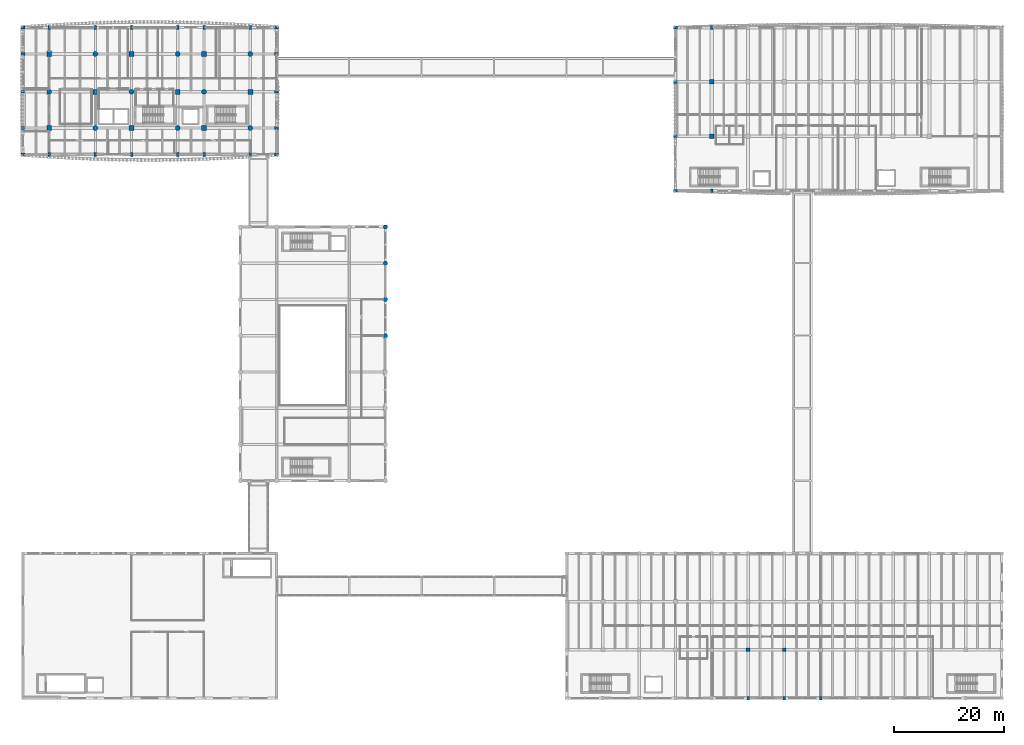
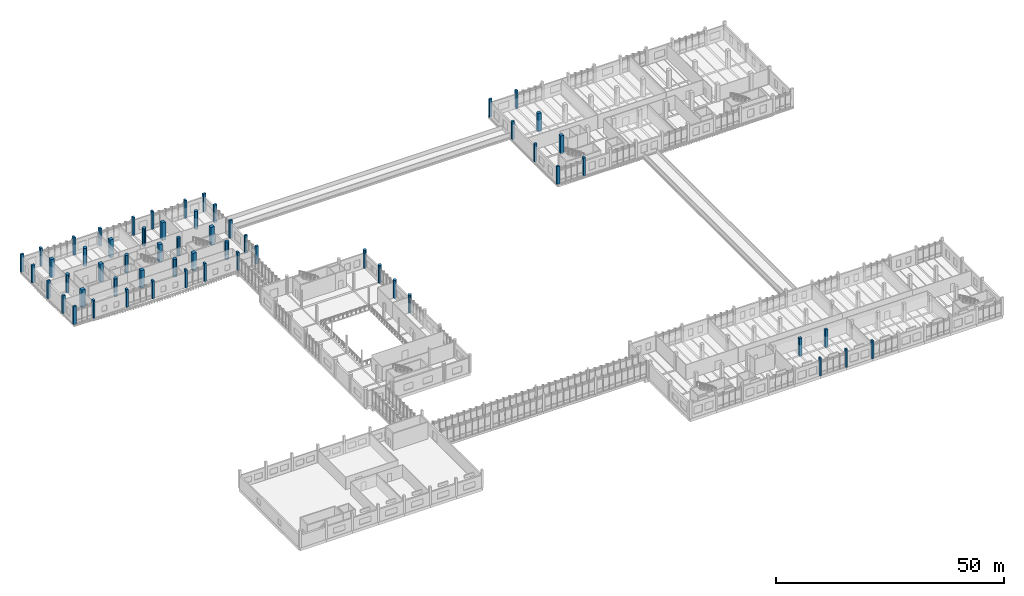
# One storey, part 7 of 101: 57 columns.
"""IFC4 building model written with IfcOpenShell, lengths in metres."""

from ifc_helpers import new_model, si_unit, direction, frame, origin, origin_2d, place, context, subcontext, project, spatial, rectangle, circle, extrude, material, material_profile, profile_set, type_object, element, save


model = new_model("IFC4")

# Units and contexts
model_context = context("Model", 3, precision=1e-05, world=origin(), true_north=direction((0.0, 1.0)))
body_context = subcontext(model_context, "Body", "Model", "MODEL_VIEW")
ifc_project = project(units=[si_unit("LENGTHUNIT", "METRE"), si_unit("AREAUNIT", "SQUARE_METRE"), si_unit("VOLUMEUNIT", "CUBIC_METRE"), si_unit("PLANEANGLEUNIT", "RADIAN"), si_unit("MASSUNIT", "GRAM", prefix="KILO")], contexts=[model_context])

# Site, building, storey
site_placement = place(None, origin())
site = spatial("IfcSite", under=ifc_project, at=site_placement, CompositionType="ELEMENT")
building_placement = place(site_placement, origin())
building = spatial("IfcBuilding", under=site, at=building_placement, Name="Dornvale Research Institute", CompositionType="ELEMENT")
storey_placement = place(building_placement, frame((0.0, 0.0, 10.199951171875)))
storey = spatial("IfcBuildingStorey", under=building, at=storey_placement, Name="L02", CompositionType="ELEMENT", Elevation=10.199951171875)

# Columns
ifc_material_1 = material(Name="Concrete f'c 45 MPa (C35/45)", Category="concrete")
ifc_material_profile_1 = material_profile(ifc_material_1, rectangle(XDim=0.64990234375, YDim=0.64990234375, at=origin_2d()), Name="RC 650x650")
ifc_profile_set_1 = profile_set([ifc_material_profile_1], Name="Concrete f'c 45 MPa (C35/45)")
column_type_1 = type_object("IfcColumnType", Name="Column_RC650", PredefinedType="COLUMN", material=ifc_profile_set_1)
for number, where, z_axis, x_axis, name in (
    (1, (132.0, 8.800048828125, 0.0), (0.0, 0.0, 1.0), (1.0, 0.0, 0.0), "L02 column #903"),
    (2, (138.60009765625, 8.800048828125, 0.0), (0.0, 0.0, 1.0), (1.0, 0.0, 0.0), "L02 column #907"),
):
    element("IfcColumn", number, at=place(storey_placement, frame(where, z_axis=z_axis, x_axis=x_axis)), inside=storey, type_object=column_type_1, Name=name, PredefinedType="COLUMN", context=body_context, shape_type="SweptSolid", body=[
        extrude(rectangle(XDim=0.64990234375, YDim=0.64990234375, at=origin_2d()), origin(), (0.0, 0.0, 1.0), 4.800048828125),
    ])
ifc_material_2 = material(Name="Concrete f'c 50 MPa (C40/50)", Category="concrete")
ifc_material_profile_2 = material_profile(ifc_material_2, rectangle(XDim=0.800048828125, YDim=0.800048828125, at=origin_2d()), Name="RC 800x800")
ifc_profile_set_2 = profile_set([ifc_material_profile_2], Name="Concrete f'c 50 MPa (C40/50)")
column_type_2 = type_object("IfcColumnType", Name="Column_RC800", PredefinedType="COLUMN", material=ifc_profile_set_2)
for number, where, z_axis, x_axis, name in (
    (3, (125.39990234375, 102.300048828125, 0.0), (0.0, 0.0, 1.0), (1.0, 0.0, 0.0), "L02 column #539"),
    (4, (125.39990234375, 112.199951171875, 0.0), (0.0, 0.0, 1.0), (1.0, 0.0, 0.0), "L02 column #540"),
):
    element("IfcColumn", number, at=place(storey_placement, frame(where, z_axis=z_axis, x_axis=x_axis)), inside=storey, type_object=column_type_2, Name=name, PredefinedType="COLUMN", context=body_context, shape_type="SweptSolid", body=[
        extrude(rectangle(XDim=0.800048828125, YDim=0.800048828125, at=origin_2d()), origin(), (0.0, 0.0, 1.0), 4.800048828125),
    ])
ifc_material_3 = material(Name="Concrete f'c 50 MPa (C40/50)", Category="concrete")
ifc_material_profile_3 = material_profile(ifc_material_3, rectangle(XDim=0.89990234375, YDim=0.89990234375, at=origin_2d()), Name="RC 900x900")
ifc_profile_set_3 = profile_set([ifc_material_profile_3], Name="Concrete f'c 50 MPa (C40/50)")
column_type_3 = type_object("IfcColumnType", Name="Column_RC900", PredefinedType="COLUMN", material=ifc_profile_set_3)
for number, where, z_axis, x_axis, name in (
    (5, (4.800048828125, 103.800048828125, 0.0), (0.0, 0.0, 1.0), (1.0, 0.0, 0.0), "L02 column #127"),
    (6, (4.800048828125, 117.300048828125, 0.0), (0.0, 0.0, 1.0), (1.0, 0.0, 0.0), "L02 column #129"),
    (7, (13.199951171875, 110.39990234375, 0.0), (0.0, 0.0, 1.0), (1.0, 0.0, 0.0), "L02 column #133"),
    (8, (19.800048828125, 103.800048828125, 0.0), (0.0, 0.0, 1.0), (1.0, 0.0, 0.0), "L02 column #137"),
    (9, (19.800048828125, 117.300048828125, 0.0), (0.0, 0.0, 1.0), (1.0, 0.0, 0.0), "L02 column #139"),
    (10, (28.199951171875, 110.39990234375, 0.0), (0.0, 0.0, 1.0), (1.0, 0.0, 0.0), "L02 column #143"),
    (11, (33.0, 103.800048828125, 0.0), (0.0, 0.0, 1.0), (1.0, 0.0, 0.0), "L02 column #147"),
    (12, (33.0, 117.300048828125, 0.0), (0.0, 0.0, 1.0), (1.0, 0.0, 0.0), "L02 column #149"),
    (13, (41.39990234375, 110.39990234375, 0.0), (0.0, 0.0, 1.0), (1.0, 0.0, 0.0), "L02 column #153"),
):
    element("IfcColumn", number, at=place(storey_placement, frame(where, z_axis=z_axis, x_axis=x_axis)), inside=storey, type_object=column_type_3, Name=name, PredefinedType="COLUMN", context=body_context, shape_type="SweptSolid", body=[
        extrude(rectangle(XDim=0.89990234375, YDim=0.89990234375, at=origin_2d()), origin(), (0.0, 0.0, 1.0), 4.800048828125),
    ])
ifc_material_4 = material(Name="Concrete f'c 45 MPa (C35/45)", Category="concrete")
ifc_material_profile_4 = material_profile(ifc_material_4, circle(Radius=0.39990234375, at=origin_2d()), Name="RC DIA 800")
ifc_profile_set_4 = profile_set([ifc_material_profile_4], Name="Concrete f'c 45 MPa (C35/45)")
column_type_4 = type_object("IfcColumnType", Name="Column_RCDia800_Ext", PredefinedType="COLUMN", material=ifc_profile_set_4)
for number, where, z_axis, x_axis, name in (
    (14, (66.0, 66.0, 0.0), (0.0, 0.0, 1.0), (1.0, 0.0, 0.0), "L02 column #1110"),
    (15, (66.0, 72.60009765625, 0.0), (0.0, 0.0, 1.0), (1.0, 0.0, 0.0), "L02 column #1111"),
    (16, (66.0, 79.199951171875, 0.0), (0.0, 0.0, 1.0), (1.0, 0.0, 0.0), "L02 column #1112"),
    (17, (66.0, 85.800048828125, 0.0), (0.0, 0.0, 1.0), (1.0, 0.0, 0.0), "L02 column #1113"),
):
    element("IfcColumn", number, at=place(storey_placement, frame(where, z_axis=z_axis, x_axis=x_axis)), inside=storey, type_object=column_type_4, Name=name, PredefinedType="COLUMN", context=body_context, shape_type="SweptSolid", body=[
        extrude(circle(Radius=0.39990234375, at=origin_2d()), origin(), (0.0, 0.0, 1.0), 4.800048828125),
    ])
ifc_material_5 = material(Name="Concrete f'c 50 MPa (C40/50)", Category="concrete")
ifc_material_profile_5 = material_profile(ifc_material_5, circle(Radius=0.449951171875, at=origin_2d()), Name="RC DIA 900")
ifc_profile_set_5 = profile_set([ifc_material_profile_5], Name="Concrete f'c 50 MPa (C40/50)")
column_type_5 = type_object("IfcColumnType", Name="Column_RCDia900", PredefinedType="COLUMN", material=ifc_profile_set_5)
for number, where, z_axis, x_axis, name in (
    (18, (4.800048828125, 110.39990234375, 0.0), (0.0, 0.0, 1.0), (1.0, 0.0, 0.0), "L02 column #128"),
    (19, (13.199951171875, 103.800048828125, 0.0), (0.0, 0.0, 1.0), (1.0, 0.0, 0.0), "L02 column #132"),
    (20, (13.199951171875, 117.300048828125, 0.0), (0.0, 0.0, 1.0), (1.0, 0.0, 0.0), "L02 column #134"),
    (21, (19.800048828125, 110.39990234375, 0.0), (0.0, 0.0, 1.0), (1.0, 0.0, 0.0), "L02 column #138"),
    (22, (28.199951171875, 103.800048828125, 0.0), (0.0, 0.0, 1.0), (1.0, 0.0, 0.0), "L02 column #142"),
    (23, (28.199951171875, 117.300048828125, 0.0), (0.0, 0.0, 1.0), (1.0, 0.0, 0.0), "L02 column #144"),
    (24, (33.0, 110.39990234375, 0.0), (0.0, 0.0, 1.0), (1.0, 0.0, 0.0), "L02 column #148"),
    (25, (41.39990234375, 103.800048828125, 0.0), (0.0, 0.0, 1.0), (1.0, 0.0, 0.0), "L02 column #152"),
    (26, (41.39990234375, 117.300048828125, 0.0), (0.0, 0.0, 1.0), (1.0, 0.0, 0.0), "L02 column #154"),
):
    element("IfcColumn", number, at=place(storey_placement, frame(where, z_axis=z_axis, x_axis=x_axis)), inside=storey, type_object=column_type_5, Name=name, PredefinedType="COLUMN", context=body_context, shape_type="SweptSolid", body=[
        extrude(circle(Radius=0.449951171875, at=origin_2d()), origin(), (0.0, 0.0, 1.0), 4.800048828125),
    ])
ifc_material_6 = material(Name="Concrete f'c 45 MPa (C35/45)", Category="concrete")
ifc_material_profile_6 = material_profile(ifc_material_6, rectangle(XDim=0.449951171875, YDim=0.64990234375, at=origin_2d()), Name="RC 450x650")
ifc_profile_set_6 = profile_set([ifc_material_profile_6], Name="Concrete f'c 45 MPa (C35/45)")
column_type_6 = type_object("IfcColumnType", Name="Pilaster_RC450x650_Ext", PredefinedType="PILASTER", material=ifc_profile_set_6)
for number, where, z_axis, x_axis, name in (
    (27, (132.0, 0.0, 0.0), (0.0, 0.0, 1.0), (1.0, 0.0, 0.0), "L02 column #902"),
    (28, (138.60009765625, 0.0, 0.0), (0.0, 0.0, 1.0), (1.0, 0.0, 0.0), "L02 column #906"),
    (29, (145.199951171875, 0.0, 0.0), (0.0, 0.0, 1.0), (1.0, 0.0, 0.0), "L02 column #910"),
):
    element("IfcColumn", number, at=place(storey_placement, frame(where, z_axis=z_axis, x_axis=x_axis)), inside=storey, type_object=column_type_6, Name=name, PredefinedType="PILASTER", context=body_context, shape_type="SweptSolid", body=[
        extrude(rectangle(XDim=0.449951171875, YDim=0.64990234375, at=origin_2d()), origin(), (0.0, 0.0, 1.0), 4.800048828125),
    ])
ifc_material_7 = material(Name="Concrete f'c 50 MPa (C40/50)", Category="concrete")
ifc_material_profile_7 = material_profile(ifc_material_7, rectangle(XDim=0.5, YDim=0.699951171875, at=origin_2d()), Name="RC 500x700")
ifc_profile_set_7 = profile_set([ifc_material_profile_7], Name="Concrete f'c 50 MPa (C40/50)")
column_type_7 = type_object("IfcColumnType", Name="Pilaster_RC500x700_Ext", PredefinedType="PILASTER", material=ifc_profile_set_7)
for number, where, z_axis, x_axis, name in (
    (30, (0.0, 99.0, 0.0), (0.0, 0.0, 1.0), (0.0, 1.0, 0.0), "L02 column #121"),
    (31, (0.0, 103.800048828125, 0.0), (0.0, 0.0, 1.0), (0.0, 1.0, 0.0), "L02 column #122"),
    (32, (0.0, 110.39990234375, 0.0), (0.0, 0.0, 1.0), (0.0, 1.0, 0.0), "L02 column #123"),
    (33, (0.0, 117.300048828125, 0.0), (0.0, 0.0, 1.0), (0.0, 1.0, 0.0), "L02 column #124"),
    (34, (0.0, 122.10009765625, 0.0), (0.0, 0.0, 1.0), (0.0, 1.0, 0.0), "L02 column #125"),
    (35, (4.800048828125, 99.0, 0.0), (0.0, 0.0, 1.0), (1.0, 0.0, 0.0), "L02 column #126"),
    (36, (4.800048828125, 122.10009765625, 0.0), (0.0, 0.0, 1.0), (1.0, 0.0, 0.0), "L02 column #130"),
    (37, (13.199951171875, 99.0, 0.0), (0.0, 0.0, 1.0), (1.0, 0.0, 0.0), "L02 column #131"),
    (38, (13.199951171875, 122.10009765625, 0.0), (0.0, 0.0, 1.0), (1.0, 0.0, 0.0), "L02 column #135"),
    (39, (19.800048828125, 99.0, 0.0), (0.0, 0.0, 1.0), (1.0, 0.0, 0.0), "L02 column #136"),
    (40, (19.800048828125, 122.10009765625, 0.0), (0.0, 0.0, 1.0), (1.0, 0.0, 0.0), "L02 column #140"),
    (41, (28.199951171875, 99.0, 0.0), (0.0, 0.0, 1.0), (1.0, 0.0, 0.0), "L02 column #141"),
    (42, (28.199951171875, 122.10009765625, 0.0), (0.0, 0.0, 1.0), (1.0, 0.0, 0.0), "L02 column #145"),
    (43, (33.0, 99.0, 0.0), (0.0, 0.0, 1.0), (1.0, 0.0, 0.0), "L02 column #146"),
    (44, (33.0, 122.10009765625, 0.0), (0.0, 0.0, 1.0), (1.0, 0.0, 0.0), "L02 column #150"),
    (45, (41.39990234375, 99.0, 0.0), (0.0, 0.0, 1.0), (1.0, 0.0, 0.0), "L02 column #151"),
    (46, (41.39990234375, 122.10009765625, 0.0), (0.0, 0.0, 1.0), (1.0, 0.0, 0.0), "L02 column #155"),
    (47, (46.199951171875, 99.0, 0.0), (0.0, 0.0, 1.0), (0.0, 1.0, 0.0), "L02 column #156"),
    (48, (46.199951171875, 103.800048828125, 0.0), (0.0, 0.0, 1.0), (0.0, 1.0, 0.0), "L02 column #157"),
    (49, (46.199951171875, 110.39990234375, 0.0), (0.0, 0.0, 1.0), (0.0, 1.0, 0.0), "L02 column #158"),
    (50, (46.199951171875, 117.300048828125, 0.0), (0.0, 0.0, 1.0), (0.0, 1.0, 0.0), "L02 column #159"),
    (51, (46.199951171875, 122.10009765625, 0.0), (0.0, 0.0, 1.0), (0.0, 1.0, 0.0), "L02 column #160"),
    (52, (118.800048828125, 92.39990234375, 0.0), (0.0, 0.0, 1.0), (0.0, 1.0, 0.0), "L02 column #534"),
    (53, (118.800048828125, 102.300048828125, 0.0), (0.0, 0.0, 1.0), (0.0, 1.0, 0.0), "L02 column #535"),
    (54, (118.800048828125, 112.199951171875, 0.0), (0.0, 0.0, 1.0), (0.0, 1.0, 0.0), "L02 column #536"),
    (55, (118.800048828125, 122.10009765625, 0.0), (0.0, 0.0, 1.0), (0.0, 1.0, 0.0), "L02 column #537"),
    (56, (125.39990234375, 92.39990234375, 0.0), (0.0, 0.0, 1.0), (1.0, 0.0, 0.0), "L02 column #538"),
    (57, (125.39990234375, 122.10009765625, 0.0), (0.0, 0.0, 1.0), (1.0, 0.0, 0.0), "L02 column #541"),
):
    element("IfcColumn", number, at=place(storey_placement, frame(where, z_axis=z_axis, x_axis=x_axis)), inside=storey, type_object=column_type_7, Name=name, PredefinedType="PILASTER", context=body_context, shape_type="SweptSolid", body=[
        extrude(rectangle(XDim=0.5, YDim=0.699951171875, at=origin_2d()), origin(), (0.0, 0.0, 1.0), 4.800048828125),
    ])

save(model, "model.ifc")
